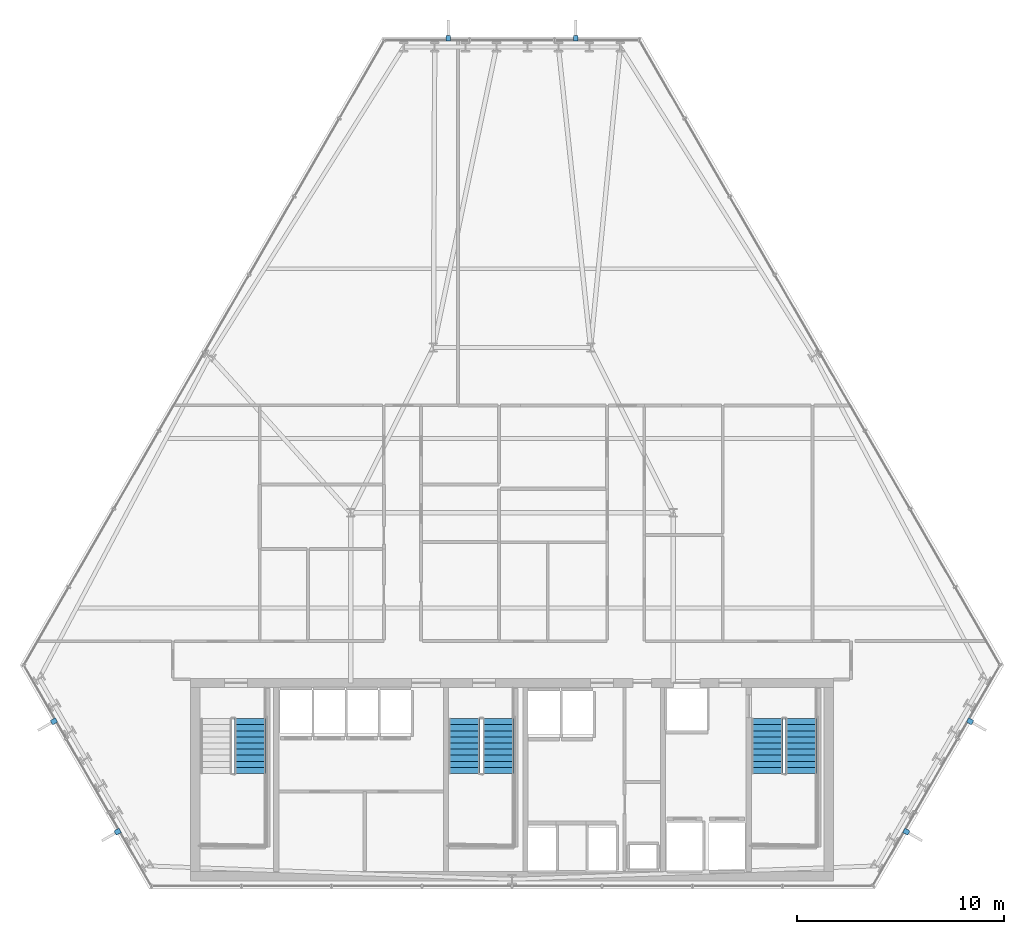
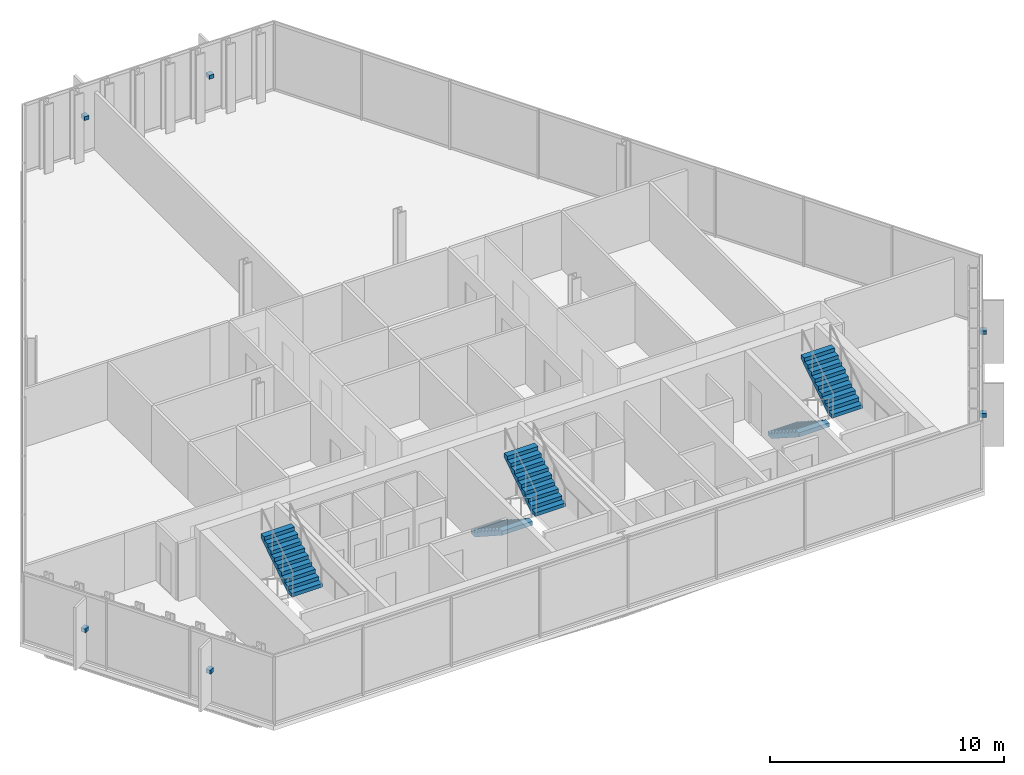
# One storey, part 28 of 32: 6 discrete accessories, 5 stair flights, 3 elements without a shape of their own.
"""IFC4 building model written with IfcOpenShell, lengths in metres."""

from ifc_helpers import new_model, si_unit, direction, frame, origin, origin_2d, place, context, subcontext, project, spatial, polyline, rectangle, outline, extrude, material, type_object, element, aggregate, save


model = new_model("IFC4")

# Units and contexts
model_context = context("Model", 3, precision=1e-05, world=origin(), true_north=direction((0.0, 1.0)))
body_context = subcontext(model_context, "Body", "Model", "MODEL_VIEW")
ifc_project = project(units=[si_unit("LENGTHUNIT", "METRE"), si_unit("AREAUNIT", "SQUARE_METRE"), si_unit("VOLUMEUNIT", "CUBIC_METRE"), si_unit("PLANEANGLEUNIT", "RADIAN"), si_unit("MASSUNIT", "GRAM", prefix="KILO")], contexts=[model_context])

# Site, building, storey
site_placement = place(None, origin())
site = spatial("IfcSite", under=ifc_project, at=site_placement, CompositionType="ELEMENT")
building_placement = place(site_placement, origin())
building = spatial("IfcBuilding", under=site, at=building_placement, Name="Ndaravel Arena Tower", CompositionType="ELEMENT")
storey_placement = place(building_placement, frame((0.0, 0.0, 130.800048828125)))
storey = spatial("IfcBuildingStorey", under=building, at=storey_placement, Name="L30", CompositionType="ELEMENT", Elevation=130.800048828125)

# Stair, stair flight
ifc_material_1 = material(Name="Concrete C40/50", Category="concrete")
stair_type = type_object("IfcStairType", Name="STAIR-CORE-HT", PredefinedType="HALF_TURN_STAIR", material=ifc_material_1)
stair_1_placement = place(storey_placement, origin())
stair_1 = element("IfcStair", 1, at=stair_1_placement, inside=storey, type_object=stair_type, Name="L30 ST-1", PredefinedType="HALF_TURN_STAIR")
ifc_material_2 = material(Name="Concrete C40/50", Category="concrete")
stair_flight_type = type_object("IfcStairFlightType", Name="SFLIGHT-CORE-1680", PredefinedType="STRAIGHT", material=ifc_material_2)
stair_flight_1_placement = place(storey_placement, frame((29.340087890625, 10.594970703125, 1.89990234375), z_axis=(0.0, 0.0, 1.0), x_axis=(0.0, 1.0, 0.0)))
stair_flight_1 = element("IfcStairFlight", 2, at=stair_flight_1_placement, type_object=stair_flight_type, Name="ST-1 flight 2", NumberOfRisers=10, NumberOfTreads=9, PredefinedType="STRAIGHT", RiserHeight=0.19, TreadLength=0.295, context=body_context, shape_type="SweptSolid", body=[
    extrude(outline(polyline([(0.0, 0.0), (0.0, 0.18994140625), (0.294921875, 0.18994140625), (0.294921875, 0.3798828125), (0.590087890625, 0.3798828125), (0.590087890625, 0.570068359375), (0.885009765625, 0.570068359375), (0.885009765625, 0.760009765625), (1.179931640625, 0.760009765625), (1.179931640625, 0.949951171875), (1.47509765625, 0.949951171875), (1.47509765625, 1.139892578125), (1.77001953125, 1.139892578125), (1.77001953125, 1.330078125), (2.06494140625, 1.330078125), (2.06494140625, 1.52001953125), (2.360107421875, 1.52001953125), (2.360107421875, 1.7099609375), (2.655029296875, 1.7099609375), (2.655029296875, 1.89990234375), (2.655029296875, 1.49609375), (0.332275390625, 0.0), (0.0, 0.0)])), frame((0.0, 0.75, 0.0), z_axis=(0.0, -1.0, 0.0), x_axis=(1.0, 0.0, 0.0)), (0.0, 0.0, 1.0), 1.5),
])
aggregate(stair_1, [stair_flight_1])

# Stair, stair flights
stair_2_placement = place(storey_placement, origin())
stair_2 = element("IfcStair", 3, at=stair_2_placement, inside=storey, type_object=stair_type, Name="L30 ST-2", PredefinedType="HALF_TURN_STAIR")
stair_flight_2_placement = place(storey_placement, frame((39.699951171875, 13.25, 0.0), z_axis=(0.0, 0.0, 1.0), x_axis=(0.0, -1.0, 0.0)))
stair_flight_2 = element("IfcStairFlight", 4, at=stair_flight_2_placement, type_object=stair_flight_type, Name="ST-2 flight 1", NumberOfRisers=10, NumberOfTreads=9, PredefinedType="STRAIGHT", RiserHeight=0.19, TreadLength=0.295, context=body_context, shape_type="SweptSolid", body=[
    extrude(outline(polyline([(0.0, 0.0), (0.0, 0.18994140625), (0.294921875, 0.18994140625), (0.294921875, 0.3798828125), (0.590087890625, 0.3798828125), (0.590087890625, 0.570068359375), (0.885009765625, 0.570068359375), (0.885009765625, 0.760009765625), (1.179931640625, 0.760009765625), (1.179931640625, 0.949951171875), (1.47509765625, 0.949951171875), (1.47509765625, 1.139892578125), (1.77001953125, 1.139892578125), (1.77001953125, 1.330078125), (2.06494140625, 1.330078125), (2.06494140625, 1.52001953125), (2.360107421875, 1.52001953125), (2.360107421875, 1.7099609375), (2.655029296875, 1.7099609375), (2.655029296875, 1.89990234375), (2.655029296875, 1.49609375), (0.332275390625, 0.0), (0.0, 0.0)])), frame((0.0, 0.75, 0.0), z_axis=(0.0, -1.0, 0.0), x_axis=(1.0, 0.0, 0.0)), (0.0, 0.0, 1.0), 1.5),
])
stair_flight_3_placement = place(storey_placement, frame((41.340087890625, 10.594970703125, 1.89990234375), z_axis=(0.0, 0.0, 1.0), x_axis=(0.0, 1.0, 0.0)))
stair_flight_3 = element("IfcStairFlight", 5, at=stair_flight_3_placement, type_object=stair_flight_type, Name="ST-2 flight 2", NumberOfRisers=10, NumberOfTreads=9, PredefinedType="STRAIGHT", RiserHeight=0.19, TreadLength=0.295, context=body_context, shape_type="SweptSolid", body=[
    extrude(outline(polyline([(0.0, 0.0), (0.0, 0.18994140625), (0.294921875, 0.18994140625), (0.294921875, 0.3798828125), (0.590087890625, 0.3798828125), (0.590087890625, 0.570068359375), (0.885009765625, 0.570068359375), (0.885009765625, 0.760009765625), (1.179931640625, 0.760009765625), (1.179931640625, 0.949951171875), (1.47509765625, 0.949951171875), (1.47509765625, 1.139892578125), (1.77001953125, 1.139892578125), (1.77001953125, 1.330078125), (2.06494140625, 1.330078125), (2.06494140625, 1.52001953125), (2.360107421875, 1.52001953125), (2.360107421875, 1.7099609375), (2.655029296875, 1.7099609375), (2.655029296875, 1.89990234375), (2.655029296875, 1.49609375), (0.332275390625, 0.0), (0.0, 0.0)])), frame((0.0, 0.75, 0.0), z_axis=(0.0, -1.0, 0.0), x_axis=(1.0, 0.0, 0.0)), (0.0, 0.0, 1.0), 1.5),
])
aggregate(stair_2, [stair_flight_2, stair_flight_3])

stair_3_placement = place(storey_placement, origin())
stair_3 = element("IfcStair", 6, at=stair_3_placement, inside=storey, type_object=stair_type, Name="L30 ST-3", PredefinedType="HALF_TURN_STAIR")
stair_flight_4_placement = place(storey_placement, frame((54.35009765625, 13.25, 0.0), z_axis=(0.0, 0.0, 1.0), x_axis=(0.0, -1.0, 0.0)))
stair_flight_4 = element("IfcStairFlight", 7, at=stair_flight_4_placement, type_object=stair_flight_type, Name="ST-3 flight 1", NumberOfRisers=10, NumberOfTreads=9, PredefinedType="STRAIGHT", RiserHeight=0.19, TreadLength=0.295, context=body_context, shape_type="SweptSolid", body=[
    extrude(outline(polyline([(0.0, 0.0), (0.0, 0.18994140625), (0.294921875, 0.18994140625), (0.294921875, 0.3798828125), (0.590087890625, 0.3798828125), (0.590087890625, 0.570068359375), (0.885009765625, 0.570068359375), (0.885009765625, 0.760009765625), (1.179931640625, 0.760009765625), (1.179931640625, 0.949951171875), (1.47509765625, 0.949951171875), (1.47509765625, 1.139892578125), (1.77001953125, 1.139892578125), (1.77001953125, 1.330078125), (2.06494140625, 1.330078125), (2.06494140625, 1.52001953125), (2.360107421875, 1.52001953125), (2.360107421875, 1.7099609375), (2.655029296875, 1.7099609375), (2.655029296875, 1.89990234375), (2.655029296875, 1.49609375), (0.332275390625, 0.0), (0.0, 0.0)])), frame((0.0, 0.75, 0.0), z_axis=(0.0, -1.0, 0.0), x_axis=(1.0, 0.0, 0.0)), (0.0, 0.0, 1.0), 1.5),
])
stair_flight_5_placement = place(storey_placement, frame((55.989990234375, 10.594970703125, 1.89990234375), z_axis=(0.0, 0.0, 1.0), x_axis=(0.0, 1.0, 0.0)))
stair_flight_5 = element("IfcStairFlight", 8, at=stair_flight_5_placement, type_object=stair_flight_type, Name="ST-3 flight 2", NumberOfRisers=10, NumberOfTreads=9, PredefinedType="STRAIGHT", RiserHeight=0.19, TreadLength=0.295, context=body_context, shape_type="SweptSolid", body=[
    extrude(outline(polyline([(0.0, 0.0), (0.0, 0.18994140625), (0.294921875, 0.18994140625), (0.294921875, 0.3798828125), (0.590087890625, 0.3798828125), (0.590087890625, 0.570068359375), (0.885009765625, 0.570068359375), (0.885009765625, 0.760009765625), (1.179931640625, 0.760009765625), (1.179931640625, 0.949951171875), (1.47509765625, 0.949951171875), (1.47509765625, 1.139892578125), (1.77001953125, 1.139892578125), (1.77001953125, 1.330078125), (2.06494140625, 1.330078125), (2.06494140625, 1.52001953125), (2.360107421875, 1.52001953125), (2.360107421875, 1.7099609375), (2.655029296875, 1.7099609375), (2.655029296875, 1.89990234375), (2.655029296875, 1.49609375), (0.332275390625, 0.0), (0.0, 0.0)])), frame((0.0, 0.75, 0.0), z_axis=(0.0, -1.0, 0.0), x_axis=(1.0, 0.0, 0.0)), (0.0, 0.0, 1.0), 1.5),
])
aggregate(stair_3, [stair_flight_4, stair_flight_5])

# Discrete accessories
ifc_material_3 = material(Name="Steel S355", Category="steel")
discrete_accessory_type = type_object("IfcDiscreteAccessoryType", Name="ACC-BRACKET-FIN", PredefinedType="BRACKET", material=ifc_material_3)
for number, where, z_axis, x_axis, name in (
    (9, (61.072998046875, 7.7802734375, 1.68994140625), (0.0, 0.0, 1.0), (0.866025403784, -0.5, 0.0), "L30 Mazeras Stone Solar Fin E2.1 Bracket"),
    (10, (64.15625, 13.120849609375, 1.68994140625), (0.0, 0.0, 1.0), (0.866025403784, -0.5, 0.0), "L30 Mazeras Stone Solar Fin E2.2 Bracket"),
    (11, (45.083251953125, 46.156005859375, 1.68994140625), (0.0, 0.0, 1.0), (0.0, 1.0, 0.0), "L30 Mazeras Stone Solar Fin E4.1 Bracket"),
    (12, (38.916748046875, 46.156005859375, 1.68994140625), (0.0, 0.0, 1.0), (0.0, 1.0, 0.0), "L30 Mazeras Stone Solar Fin E4.2 Bracket"),
    (13, (19.84375, 13.120849609375, 1.68994140625), (0.0, 0.0, 1.0), (-0.866025403784, -0.5, 0.0), "L30 Mazeras Stone Solar Fin E6.1 Bracket"),
    (14, (22.927001953125, 7.7802734375, 1.68994140625), (0.0, 0.0, 1.0), (-0.866025403784, -0.5, 0.0), "L30 Mazeras Stone Solar Fin E6.2 Bracket"),
):
    element("IfcDiscreteAccessory", number, at=place(storey_placement, frame(where, z_axis=z_axis, x_axis=x_axis)), inside=storey, type_object=discrete_accessory_type, Name=name, PredefinedType="BRACKET", context=body_context, shape_type="SweptSolid", body=[
        extrude(rectangle(XDim=0.280029296875, YDim=0.239990234375, at=origin_2d()), origin(), (0.0, 0.0, 1.0), 0.199951171875),
    ])

save(model, "model.ifc")
